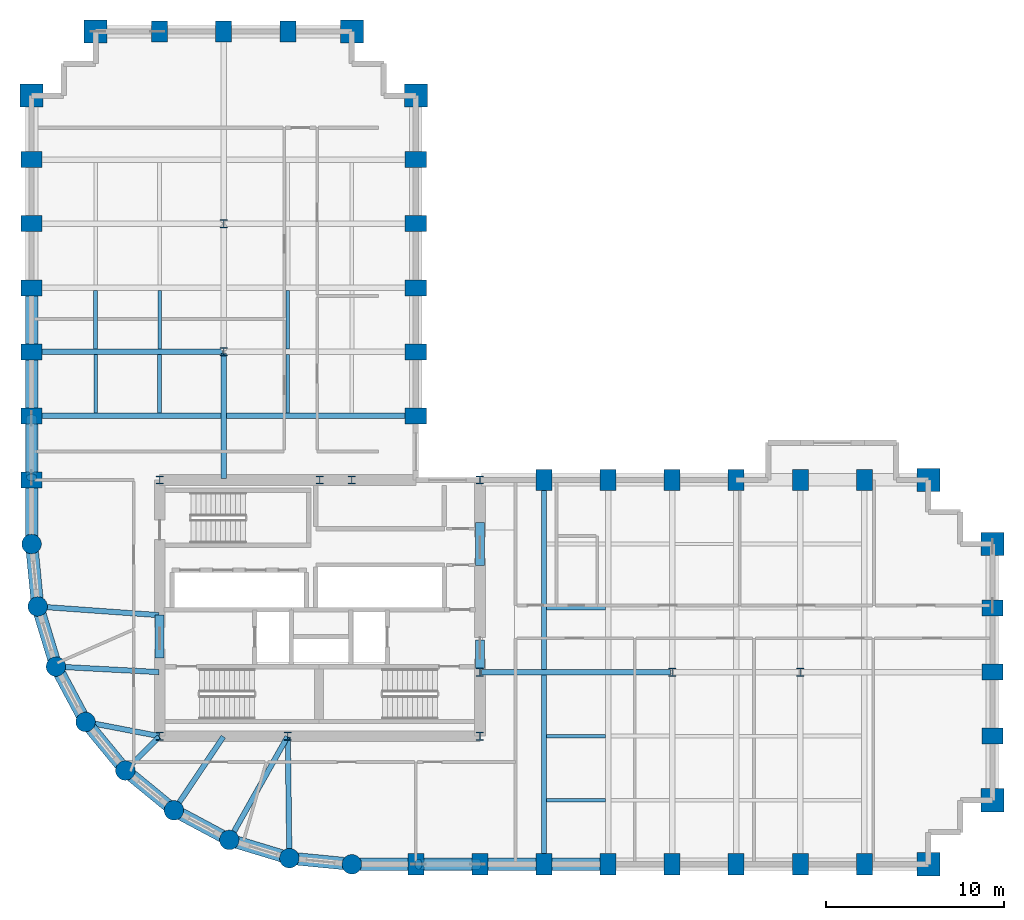
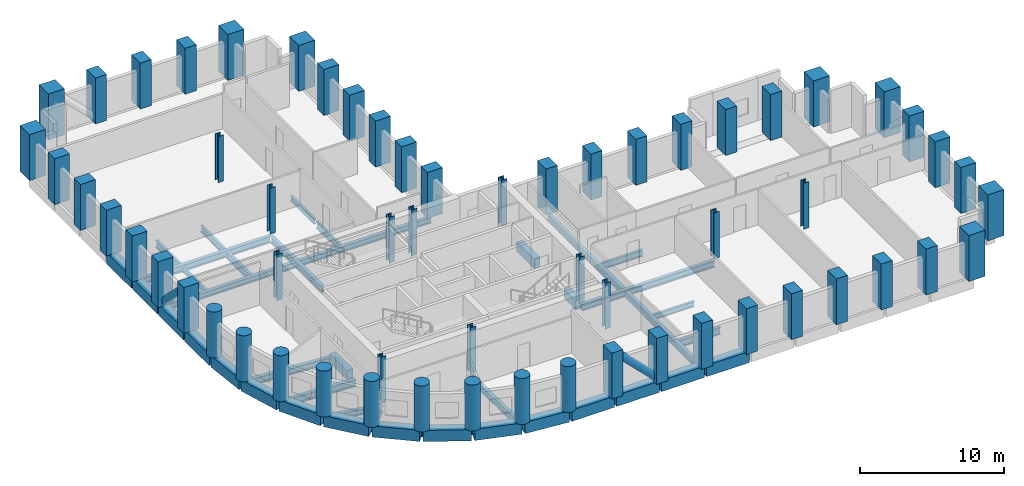
# One storey, part 1 of 8: 60 columns, 40 beams, 2 members.
"""IFC4 building model written with IfcOpenShell, lengths in metres."""

from ifc_helpers import new_model, si_unit, direction, frame, origin, origin_2d, place, context, subcontext, project, spatial, rectangle, circle, hollow_circle, i_section, extrude, material, material_profile, profile_set, type_object, element, save


model = new_model("IFC4")

# Units and contexts
model_context = context("Model", 3, precision=1e-05, world=origin(), true_north=direction((0.0, 1.0)))
body_context = subcontext(model_context, "Body", "Model", "MODEL_VIEW")
ifc_project = project(units=[si_unit("LENGTHUNIT", "METRE"), si_unit("AREAUNIT", "SQUARE_METRE"), si_unit("VOLUMEUNIT", "CUBIC_METRE"), si_unit("PLANEANGLEUNIT", "RADIAN"), si_unit("MASSUNIT", "GRAM", prefix="KILO")], contexts=[model_context])

# Site, building, storey
site_placement = place(None, origin())
site = spatial("IfcSite", under=ifc_project, at=site_placement, CompositionType="ELEMENT")
building_placement = place(site_placement, origin())
building = spatial("IfcBuilding", under=site, at=building_placement, Name="Solnavia Interchange Tower", CompositionType="ELEMENT")
storey_placement = place(building_placement, frame((0.0, 0.0, 35.699951171875)))
storey = spatial("IfcBuildingStorey", under=building, at=storey_placement, Name="L08", CompositionType="ELEMENT", Elevation=35.699951171875)

# Columns
ifc_material_1 = material(Name="Concrete C60/75", Category="concrete")
ifc_material_profile_1 = material_profile(ifc_material_1, rectangle(XDim=0.89990234375, YDim=1.199951171875, at=origin_2d()), Name="RC 1200x900")
ifc_profile_set_1 = profile_set([ifc_material_profile_1], Name="Concrete C60/75")
column_type_1 = type_object("IfcColumnType", Name="Col-RC-1200x900", PredefinedType="COLUMN", material=ifc_profile_set_1)
for number, where, z_axis, x_axis, name in (
    (1, (7.199951171875, 25.199951171875, 0.0), (0.0, 0.0, 1.0), (0.0, 1.0, 0.0), "COL-L08-02 Tower perim y column"),
    (2, (7.199951171875, 28.800048828125, 0.0), (0.0, 0.0, 1.0), (0.0, 1.0, 0.0), "COL-L08-03 Tower perim y column"),
    (3, (7.199951171875, 32.39990234375, 0.0), (0.0, 0.0, 1.0), (0.0, 1.0, 0.0), "COL-L08-04 Tower perim y column"),
    (4, (7.199951171875, 36.0, 0.0), (0.0, 0.0, 1.0), (0.0, 1.0, 0.0), "COL-L08-05 Tower perim y column"),
    (5, (7.199951171875, 39.60009765625, 0.0), (0.0, 0.0, 1.0), (0.0, 1.0, 0.0), "COL-L08-06 Tower perim y column"),
    (6, (7.199951171875, 43.199951171875, 0.0), (0.0, 0.0, 1.0), (0.0, 1.0, 0.0), "COL-L08-07 Tower perim y column"),
    (7, (14.39990234375, 50.39990234375, 0.0), (0.0, 0.0, 1.0), (1.0, 0.0, 0.0), "COL-L08-16 Tower perim x column"),
    (8, (18.0, 50.39990234375, 0.0), (0.0, 0.0, 1.0), (1.0, 0.0, 0.0), "COL-L08-20 Tower perim x column"),
    (9, (21.60009765625, 50.39990234375, 0.0), (0.0, 0.0, 1.0), (1.0, 0.0, 0.0), "COL-L08-23 Tower perim x column"),
    (10, (28.800048828125, 3.60009765625, 0.0), (0.0, 0.0, 1.0), (1.0, 0.0, 0.0), "COL-L08-29 Tower perim x column"),
    (11, (28.800048828125, 28.800048828125, 0.0), (0.0, 0.0, 1.0), (0.0, 1.0, 0.0), "COL-L08-30 Tower perim y column"),
    (12, (28.800048828125, 32.39990234375, 0.0), (0.0, 0.0, 1.0), (0.0, 1.0, 0.0), "COL-L08-31 Tower perim y column"),
    (13, (28.800048828125, 36.0, 0.0), (0.0, 0.0, 1.0), (0.0, 1.0, 0.0), "COL-L08-32 Tower perim y column"),
    (14, (28.800048828125, 39.60009765625, 0.0), (0.0, 0.0, 1.0), (0.0, 1.0, 0.0), "COL-L08-33 Tower perim y column"),
    (15, (28.800048828125, 43.199951171875, 0.0), (0.0, 0.0, 1.0), (0.0, 1.0, 0.0), "COL-L08-34 Tower perim y column"),
    (16, (32.39990234375, 3.60009765625, 0.0), (0.0, 0.0, 1.0), (1.0, 0.0, 0.0), "COL-L08-36 Tower perim x column"),
    (17, (36.0, 3.60009765625, 0.0), (0.0, 0.0, 1.0), (1.0, 0.0, 0.0), "COL-L08-40 Tower perim x column"),
    (18, (36.0, 25.199951171875, 0.0), (0.0, 0.0, 1.0), (1.0, 0.0, 0.0), "COL-L08-41 Tower perim x column"),
    (19, (39.60009765625, 3.60009765625, 0.0), (0.0, 0.0, 1.0), (1.0, 0.0, 0.0), "COL-L08-42 Tower perim x column"),
    (20, (39.60009765625, 25.199951171875, 0.0), (0.0, 0.0, 1.0), (1.0, 0.0, 0.0), "COL-L08-43 Tower perim x column"),
    (21, (43.199951171875, 3.60009765625, 0.0), (0.0, 0.0, 1.0), (1.0, 0.0, 0.0), "COL-L08-44 Tower perim x column"),
    (22, (43.199951171875, 25.199951171875, 0.0), (0.0, 0.0, 1.0), (1.0, 0.0, 0.0), "COL-L08-46 Tower perim x column"),
    (23, (46.800048828125, 3.60009765625, 0.0), (0.0, 0.0, 1.0), (1.0, 0.0, 0.0), "COL-L08-47 Tower perim x column"),
    (24, (46.800048828125, 25.199951171875, 0.0), (0.0, 0.0, 1.0), (1.0, 0.0, 0.0), "COL-L08-48 Tower perim x column"),
    (25, (50.39990234375, 3.60009765625, 0.0), (0.0, 0.0, 1.0), (1.0, 0.0, 0.0), "COL-L08-49 Tower perim x column"),
    (26, (50.39990234375, 25.199951171875, 0.0), (0.0, 0.0, 1.0), (1.0, 0.0, 0.0), "COL-L08-51 Tower perim x column"),
    (27, (54.0, 3.60009765625, 0.0), (0.0, 0.0, 1.0), (1.0, 0.0, 0.0), "COL-L08-52 Tower perim x column"),
    (28, (54.0, 25.199951171875, 0.0), (0.0, 0.0, 1.0), (1.0, 0.0, 0.0), "COL-L08-53 Tower perim x column"),
    (29, (61.199951171875, 10.800048828125, 0.0), (0.0, 0.0, 1.0), (0.0, 1.0, 0.0), "COL-L08-57 Tower perim y column"),
    (30, (61.199951171875, 14.39990234375, 0.0), (0.0, 0.0, 1.0), (0.0, 1.0, 0.0), "COL-L08-58 Tower perim y column"),
    (31, (61.199951171875, 18.0, 0.0), (0.0, 0.0, 1.0), (0.0, 1.0, 0.0), "COL-L08-59 Tower perim y column"),
):
    element("IfcColumn", number, at=place(storey_placement, frame(where, z_axis=z_axis, x_axis=x_axis)), inside=storey, type_object=column_type_1, Name=name, PredefinedType="COLUMN", context=body_context, shape_type="SweptSolid", body=[
        extrude(rectangle(XDim=0.89990234375, YDim=1.199951171875, at=origin_2d()), origin(), (0.0, 0.0, 1.0), 3.900146484375),
    ])
ifc_material_profile_2 = material_profile(ifc_material_1, rectangle(XDim=1.300048828125, YDim=1.300048828125, at=origin_2d()), Name="RC 1300x1300")
ifc_profile_set_2 = profile_set([ifc_material_profile_2], Name="Concrete C60/75")
column_type_2 = type_object("IfcColumnType", Name="Col-RC-1300x1300", PredefinedType="COLUMN", material=ifc_profile_set_2)
for number, where, z_axis, x_axis, name in (
    (32, (7.199951171875, 46.800048828125, 0.0), (0.0, 0.0, 1.0), (0.0, 1.0, 0.0), "COL-L08-08 Tower corner column"),
    (33, (10.800048828125, 50.39990234375, 0.0), (0.0, 0.0, 1.0), (1.0, 0.0, 0.0), "COL-L08-12 Tower corner column"),
    (34, (25.199951171875, 50.39990234375, 0.0), (0.0, 0.0, 1.0), (1.0, 0.0, 0.0), "COL-L08-28 Tower corner column"),
    (35, (28.800048828125, 46.800048828125, 0.0), (0.0, 0.0, 1.0), (0.0, 1.0, 0.0), "COL-L08-35 Tower corner column"),
    (36, (57.60009765625, 3.60009765625, 0.0), (0.0, 0.0, 1.0), (1.0, 0.0, 0.0), "COL-L08-54 Tower corner column"),
    (37, (57.60009765625, 25.199951171875, 0.0), (0.0, 0.0, 1.0), (1.0, 0.0, 0.0), "COL-L08-55 Tower corner column"),
    (38, (61.199951171875, 7.199951171875, 0.0), (0.0, 0.0, 1.0), (1.0, 0.0, 0.0), "COL-L08-56 Tower corner column"),
    (39, (61.199951171875, 21.60009765625, 0.0), (0.0, 0.0, 1.0), (0.0, 1.0, 0.0), "COL-L08-60 Tower corner column"),
):
    element("IfcColumn", number, at=place(storey_placement, frame(where, z_axis=z_axis, x_axis=x_axis)), inside=storey, type_object=column_type_2, Name=name, PredefinedType="COLUMN", context=body_context, shape_type="SweptSolid", body=[
        extrude(rectangle(XDim=1.300048828125, YDim=1.300048828125, at=origin_2d()), origin(), (0.0, 0.0, 1.0), 3.900146484375),
    ])
ifc_material_profile_3 = material_profile(ifc_material_1, circle(Radius=0.550048828125, at=origin_2d()), Name="RC D1100")
ifc_profile_set_3 = profile_set([ifc_material_profile_3], Name="Concrete C60/75")
column_type_3 = type_object("IfcColumnType", Name="Col-RC-D1100", PredefinedType="COLUMN", material=ifc_profile_set_3)
for number, where, z_axis, x_axis, name in (
    (40, (7.199951171875, 21.60009765625, 0.0), (0.0, 0.0, 1.0), (1.0, 0.0, 0.0), "COL-L08-01 Tower drum column"),
    (41, (7.5458984375, 18.087890625, 0.0), (0.0, 0.0, 1.0), (1.0, 0.0, 0.0), "COL-L08-09 Tower drum column"),
    (42, (8.570068359375, 14.7119140625, 0.0), (0.0, 0.0, 1.0), (1.0, 0.0, 0.0), "COL-L08-10 Tower drum column"),
    (43, (10.23388671875, 11.60009765625, 0.0), (0.0, 0.0, 1.0), (1.0, 0.0, 0.0), "COL-L08-11 Tower drum column"),
    (44, (12.471923828125, 8.8720703125, 0.0), (0.0, 0.0, 1.0), (1.0, 0.0, 0.0), "COL-L08-13 Tower drum column"),
    (45, (15.199951171875, 6.634033203125, 0.0), (0.0, 0.0, 1.0), (1.0, 0.0, 0.0), "COL-L08-17 Tower drum column"),
    (46, (18.31201171875, 4.969970703125, 0.0), (0.0, 0.0, 1.0), (1.0, 0.0, 0.0), "COL-L08-21 Tower drum column"),
    (47, (21.68798828125, 3.946044921875, 0.0), (0.0, 0.0, 1.0), (1.0, 0.0, 0.0), "COL-L08-24 Tower drum column"),
    (48, (25.199951171875, 3.60009765625, 0.0), (0.0, 0.0, 1.0), (1.0, 0.0, 0.0), "COL-L08-26 Tower drum column"),
):
    element("IfcColumn", number, at=place(storey_placement, frame(where, z_axis=z_axis, x_axis=x_axis)), inside=storey, type_object=column_type_3, Name=name, PredefinedType="COLUMN", context=body_context, shape_type="SweptSolid", body=[
        extrude(circle(Radius=0.550048828125, at=origin_2d()), origin(), (0.0, 0.0, 1.0), 3.900146484375),
    ])
ifc_material_2 = material(Name="Steel S355", Category="steel")
ifc_material_profile_4 = material_profile(ifc_material_2, i_section(OverallWidth=0.424072265625, OverallDepth=0.467041015625, WebThickness=0.032958984375, FlangeThickness=0.053466796875, FilletRadius=0.014892578125, at=origin_2d()), Name="HD 400x509")
ifc_profile_set_4 = profile_set([ifc_material_profile_4], Name="Steel S355")
column_type_4 = type_object("IfcColumnType", Name="Col-Steel-HD400x509", PredefinedType="COLUMN", material=ifc_profile_set_4)
for number, where, z_axis, x_axis, name in (
    (49, (14.39990234375, 10.800048828125, 0.0), (0.0, 0.0, 1.0), (1.0, 0.0, 0.0), "COL-L08-14 Tower interior column"),
    (50, (14.39990234375, 25.199951171875, 0.0), (0.0, 0.0, 1.0), (1.0, 0.0, 0.0), "COL-L08-15 Tower interior column"),
    (51, (18.0, 32.39990234375, 0.0), (0.0, 0.0, 1.0), (1.0, 0.0, 0.0), "COL-L08-18 Tower interior column"),
    (52, (18.0, 39.60009765625, 0.0), (0.0, 0.0, 1.0), (1.0, 0.0, 0.0), "COL-L08-19 Tower interior column"),
    (53, (21.60009765625, 10.800048828125, 0.0), (0.0, 0.0, 1.0), (1.0, 0.0, 0.0), "COL-L08-22 Tower interior column"),
    (54, (23.39990234375, 25.199951171875, 0.0), (0.0, 0.0, 1.0), (1.0, 0.0, 0.0), "COL-L08-25 Tower interior column"),
    (55, (25.199951171875, 25.199951171875, 0.0), (0.0, 0.0, 1.0), (1.0, 0.0, 0.0), "COL-L08-27 Tower interior column"),
    (56, (32.39990234375, 10.800048828125, 0.0), (0.0, 0.0, 1.0), (1.0, 0.0, 0.0), "COL-L08-37 Tower interior column"),
    (57, (32.39990234375, 14.39990234375, 0.0), (0.0, 0.0, 1.0), (1.0, 0.0, 0.0), "COL-L08-38 Tower interior column"),
    (58, (32.39990234375, 25.199951171875, 0.0), (0.0, 0.0, 1.0), (1.0, 0.0, 0.0), "COL-L08-39 Tower interior column"),
    (59, (43.199951171875, 14.39990234375, 0.0), (0.0, 0.0, 1.0), (1.0, 0.0, 0.0), "COL-L08-45 Tower interior column"),
    (60, (50.39990234375, 14.39990234375, 0.0), (0.0, 0.0, 1.0), (1.0, 0.0, 0.0), "COL-L08-50 Tower interior column"),
):
    element("IfcColumn", number, at=place(storey_placement, frame(where, z_axis=z_axis, x_axis=x_axis)), inside=storey, type_object=column_type_4, Name=name, PredefinedType="COLUMN", context=body_context, shape_type="SweptSolid", body=[
        extrude(i_section(OverallWidth=0.424072265625, OverallDepth=0.467041015625, WebThickness=0.032958984375, FlangeThickness=0.053466796875, FilletRadius=0.014892578125, at=origin_2d()), origin(), (0.0, 0.0, 1.0), 3.900146484375),
    ])

# Beams
ifc_material_3 = material(Name="Concrete C50/60", Category="concrete")
ifc_material_profile_5 = material_profile(ifc_material_3, rectangle(XDim=0.5, YDim=0.800048828125, at=origin_2d()), Name="RC 500x800")
ifc_profile_set_5 = profile_set([ifc_material_profile_5], Name="Concrete C50/60")
beam_type_1 = type_object("IfcBeamType", Name="Beam-Coupling-RC500x800", PredefinedType="LINTEL", material=ifc_profile_set_5)
beam_1_placement = place(storey_placement, frame((14.39990234375, 15.199951171875, -0.39990234375), z_axis=(0.0, 1.0, 0.0), x_axis=(-1.0, 0.0, 0.0)))
element("IfcBeam", 61, at=beam_1_placement, inside=storey, type_object=beam_type_1, Name="CPB-L08-W1 Core coupling lintel beam", PredefinedType="LINTEL", context=body_context, shape_type="SweptSolid", body=[
    extrude(rectangle(XDim=0.5, YDim=0.800048828125, at=origin_2d()), origin(), (0.0, 0.0, 1.0), 2.400146484375),
])
beam_2_placement = place(storey_placement, frame((32.39990234375, 14.60009765625, -0.39990234375), z_axis=(0.0, 1.0, 0.0), x_axis=(-1.0, 0.0, 0.0)))
element("IfcBeam", 62, at=beam_2_placement, inside=storey, type_object=beam_type_1, Name="CPB-L08-E1 Core coupling lintel beam", PredefinedType="LINTEL", context=body_context, shape_type="SweptSolid", body=[
    extrude(rectangle(XDim=0.5, YDim=0.800048828125, at=origin_2d()), origin(), (0.0, 0.0, 1.0), 1.599853515625),
])
beam_3_placement = place(storey_placement, frame((32.39990234375, 20.39990234375, -0.39990234375), z_axis=(0.0, 1.0, 0.0), x_axis=(-1.0, 0.0, 0.0)))
element("IfcBeam", 63, at=beam_3_placement, inside=storey, type_object=beam_type_1, Name="CPB-L08-E2 Core coupling lintel beam", PredefinedType="LINTEL", context=body_context, shape_type="SweptSolid", body=[
    extrude(rectangle(XDim=0.5, YDim=0.800048828125, at=origin_2d()), origin(), (0.0, 0.0, 1.0), 2.400146484375),
])
ifc_material_4 = material(Name="Steel S460", Category="steel")
ifc_material_profile_6 = material_profile(ifc_material_4, i_section(OverallWidth=0.300048828125, OverallDepth=0.550048828125, WebThickness=0.014892578125, FlangeThickness=0.029052734375, FilletRadius=0.027099609375, at=origin_2d()), Name="HEB 550")
ifc_profile_set_6 = profile_set([ifc_material_profile_6], Name="Steel S460")
beam_type_2 = type_object("IfcBeamType", Name="Beam-Girder-HEB550", PredefinedType="BEAM", material=ifc_profile_set_6)
beam_4_placement = place(storey_placement, frame((32.47998046875, 14.39990234375, -0.52490234375), z_axis=(1.0, 0.0, 0.0), x_axis=(0.0, 1.0, 0.0)))
element("IfcBeam", 64, at=beam_4_placement, inside=storey, type_object=beam_type_2, Name="GRD-L08-ES01 East wing spine girder", PredefinedType="BEAM", context=body_context, shape_type="SweptSolid", body=[
    extrude(i_section(OverallWidth=0.300048828125, OverallDepth=0.550048828125, WebThickness=0.014892578125, FlangeThickness=0.029052734375, FilletRadius=0.027099609375, at=origin_2d()), origin(), (0.0, 0.0, 1.0), 10.64013671875),
])
beam_5_placement = place(storey_placement, frame((36.0, 3.679931640625, -0.52490234375), z_axis=(0.0, 1.0, 0.0), x_axis=(-1.0, 0.0, 0.0)))
element("IfcBeam", 65, at=beam_5_placement, inside=storey, type_object=beam_type_2, Name="GRD-L08-EW04 East wing primary floor girder", PredefinedType="BEAM", context=body_context, shape_type="SweptSolid", body=[
    extrude(i_section(OverallWidth=0.300048828125, OverallDepth=0.550048828125, WebThickness=0.014892578125, FlangeThickness=0.029052734375, FilletRadius=0.027099609375, at=origin_2d()), origin(), (0.0, 0.0, 1.0), 21.440185546875),
])
beam_6_placement = place(storey_placement, frame((18.0, 25.280029296875, -0.52490234375), z_axis=(0.0, 1.0, 0.0), x_axis=(-1.0, 0.0, 0.0)))
element("IfcBeam", 66, at=beam_6_placement, inside=storey, type_object=beam_type_2, Name="GRD-L08-NS12 North wing spine girder", PredefinedType="BEAM", context=body_context, shape_type="SweptSolid", body=[
    extrude(i_section(OverallWidth=0.300048828125, OverallDepth=0.550048828125, WebThickness=0.014892578125, FlangeThickness=0.029052734375, FilletRadius=0.027099609375, at=origin_2d()), origin(), (0.0, 0.0, 1.0), 7.0400390625),
])
beam_7_placement = place(storey_placement, frame((7.280029296875, 32.39990234375, -0.52490234375), z_axis=(1.0, 0.0, 0.0), x_axis=(0.0, 1.0, 0.0)))
element("IfcBeam", 67, at=beam_7_placement, inside=storey, type_object=beam_type_2, Name="GRD-L08-NW16 North wing primary floor girder", PredefinedType="BEAM", context=body_context, shape_type="SweptSolid", body=[
    extrude(i_section(OverallWidth=0.300048828125, OverallDepth=0.550048828125, WebThickness=0.014892578125, FlangeThickness=0.029052734375, FilletRadius=0.027099609375, at=origin_2d()), origin(), (0.0, 0.0, 1.0), 10.639892578125),
])
beam_8_placement = place(storey_placement, frame((7.625732421875, 18.082275390625, -0.52490234375), z_axis=(0.99747482749, -0.071020902015, 0.0), x_axis=(0.071020902015, 0.99747482749, 0.0)))
element("IfcBeam", 68, at=beam_8_placement, inside=storey, type_object=beam_type_2, Name="GRD-L08-DR22 Drum radial floor girder", PredefinedType="BEAM", context=body_context, shape_type="SweptSolid", body=[
    extrude(i_section(OverallWidth=0.300048828125, OverallDepth=0.550048828125, WebThickness=0.014892578125, FlangeThickness=0.029052734375, FilletRadius=0.027099609375, at=origin_2d()), origin(), (0.0, 0.0, 1.0), 6.75146484375),
])
beam_9_placement = place(storey_placement, frame((12.528564453125, 8.9287109375, -0.52490234375), z_axis=(0.707106781187, 0.707106781187, 0.0), x_axis=(-0.707106781187, 0.707106781187, 0.0)))
element("IfcBeam", 69, at=beam_9_placement, inside=storey, type_object=beam_type_2, Name="GRD-L08-DR25 Drum radial floor girder", PredefinedType="BEAM", context=body_context, shape_type="SweptSolid", body=[
    extrude(i_section(OverallWidth=0.300048828125, OverallDepth=0.550048828125, WebThickness=0.014892578125, FlangeThickness=0.029052734375, FilletRadius=0.027099609375, at=origin_2d()), origin(), (0.0, 0.0, 1.0), 2.6064453125),
])
beam_10_placement = place(storey_placement, frame((21.68701171875, 4.02587890625, -0.52490234375), z_axis=(-0.01283293513, 0.999917654498, 0.0), x_axis=(-0.999917654498, -0.01283293513, 0.0)))
element("IfcBeam", 70, at=beam_10_placement, inside=storey, type_object=beam_type_2, Name="GRD-L08-DR28 Drum radial floor girder", PredefinedType="BEAM", context=body_context, shape_type="SweptSolid", body=[
    extrude(i_section(OverallWidth=0.300048828125, OverallDepth=0.550048828125, WebThickness=0.014892578125, FlangeThickness=0.029052734375, FilletRadius=0.027099609375, at=origin_2d()), origin(), (0.0, 0.0, 1.0), 6.734619140625),
])
ifc_material_profile_7 = material_profile(ifc_material_2, i_section(OverallWidth=0.18994140625, OverallDepth=0.449951171875, WebThickness=0.009521484375, FlangeThickness=0.0146484375, FilletRadius=0.02099609375, at=origin_2d()), Name="IPE 450")
ifc_profile_set_7 = profile_set([ifc_material_profile_7], Name="Steel S355")
beam_type_3 = type_object("IfcBeamType", Name="Beam-Joist-IPE450", PredefinedType="JOIST", material=ifc_profile_set_7)
for number, where, z_axis, x_axis, name in (
    (71, (36.14990234375, 10.800048828125, -0.474853515625), (1.0, 0.0, 0.0), (0.0, 1.0, 0.0), "JST-L08-E06 East wing secondary joist"),
    (72, (10.800048828125, 28.949951171875, -0.474853515625), (0.0, 1.0, 0.0), (-1.0, 0.0, 0.0), "JST-L08-N21 North wing secondary joist"),
    (73, (21.60009765625, 32.550048828125, -0.474853515625), (0.0, 1.0, 0.0), (-1.0, 0.0, 0.0), "JST-L08-N30 North wing secondary joist"),
):
    element("IfcBeam", number, at=place(storey_placement, frame(where, z_axis=z_axis, x_axis=x_axis)), inside=storey, type_object=beam_type_3, Name=name, PredefinedType="JOIST", context=body_context, shape_type="SweptSolid", body=[
        extrude(i_section(OverallWidth=0.18994140625, OverallDepth=0.449951171875, WebThickness=0.009521484375, FlangeThickness=0.0146484375, FilletRadius=0.02099609375, at=origin_2d()), origin(), (0.0, 0.0, 1.0), 3.300048828125),
    ])
ifc_material_profile_8 = material_profile(ifc_material_2, i_section(OverallWidth=0.2099609375, OverallDepth=0.550048828125, WebThickness=0.010986328125, FlangeThickness=0.01708984375, FilletRadius=0.02392578125, at=origin_2d()), Name="IPE 550")
ifc_profile_set_8 = profile_set([ifc_material_profile_8], Name="Steel S355")
beam_type_4 = type_object("IfcBeamType", Name="Beam-Joist-IPE550", PredefinedType="JOIST", material=ifc_profile_set_8)
for number, where, z_axis, x_axis, name in (
    (74, (36.14990234375, 18.0, -0.52490234375), (1.0, 0.0, 0.0), (0.0, 1.0, 0.0), "JST-L08-E11 East wing secondary joist"),
    (75, (14.39990234375, 32.550048828125, -0.52490234375), (0.0, 1.0, 0.0), (-1.0, 0.0, 0.0), "JST-L08-N26 North wing secondary joist"),
    (76, (21.60009765625, 28.949951171875, -0.52490234375), (0.0, 1.0, 0.0), (-1.0, 0.0, 0.0), "JST-L08-N29 North wing secondary joist"),
):
    element("IfcBeam", number, at=place(storey_placement, frame(where, z_axis=z_axis, x_axis=x_axis)), inside=storey, type_object=beam_type_4, Name=name, PredefinedType="JOIST", context=body_context, shape_type="SweptSolid", body=[
        extrude(i_section(OverallWidth=0.2099609375, OverallDepth=0.550048828125, WebThickness=0.010986328125, FlangeThickness=0.01708984375, FilletRadius=0.02392578125, at=origin_2d()), origin(), (0.0, 0.0, 1.0), 3.300048828125),
    ])
ifc_material_profile_9 = material_profile(ifc_material_2, i_section(OverallWidth=0.219970703125, OverallDepth=0.60009765625, WebThickness=0.011962890625, FlangeThickness=0.01904296875, FilletRadius=0.02392578125, at=origin_2d()), Name="IPE 600")
ifc_profile_set_9 = profile_set([ifc_material_profile_9], Name="Steel S355")
beam_type_5 = type_object("IfcBeamType", Name="Beam-Joist-IPE600", PredefinedType="JOIST", material=ifc_profile_set_9)
for number, where, z_axis, x_axis, name in (
    (77, (36.14990234375, 7.199951171875, -0.550048828125), (1.0, 0.0, 0.0), (0.0, 1.0, 0.0), "JST-L08-E01 East wing secondary joist"),
    (78, (10.800048828125, 32.550048828125, -0.550048828125), (0.0, 1.0, 0.0), (-1.0, 0.0, 0.0), "JST-L08-N22 North wing secondary joist"),
    (79, (14.39990234375, 28.949951171875, -0.550048828125), (0.0, 1.0, 0.0), (-1.0, 0.0, 0.0), "JST-L08-N25 North wing secondary joist"),
):
    element("IfcBeam", number, at=place(storey_placement, frame(where, z_axis=z_axis, x_axis=x_axis)), inside=storey, type_object=beam_type_5, Name=name, PredefinedType="JOIST", context=body_context, shape_type="SweptSolid", body=[
        extrude(i_section(OverallWidth=0.219970703125, OverallDepth=0.60009765625, WebThickness=0.011962890625, FlangeThickness=0.01904296875, FilletRadius=0.02392578125, at=origin_2d()), origin(), (0.0, 0.0, 1.0), 3.300048828125),
    ])
ifc_material_profile_10 = material_profile(ifc_material_2, i_section(OverallWidth=0.300048828125, OverallDepth=0.489990234375, WebThickness=0.011962890625, FlangeThickness=0.02294921875, FilletRadius=0.027099609375, at=origin_2d()), Name="HEA 500")
ifc_profile_set_10 = profile_set([ifc_material_profile_10], Name="Steel S355")
beam_type_6 = type_object("IfcBeamType", Name="Beam-Primary-HEA500", PredefinedType="BEAM", material=ifc_profile_set_10)
beam_11_placement = place(storey_placement, frame((7.280029296875, 28.800048828125, -0.494873046875), z_axis=(1.0, 0.0, 0.0), x_axis=(0.0, 1.0, 0.0)))
element("IfcBeam", 80, at=beam_11_placement, inside=storey, type_object=beam_type_6, Name="GRD-L08-NW15 North wing primary floor girder", PredefinedType="BEAM", context=body_context, shape_type="SweptSolid", body=[
    extrude(i_section(OverallWidth=0.300048828125, OverallDepth=0.489990234375, WebThickness=0.011962890625, FlangeThickness=0.02294921875, FilletRadius=0.027099609375, at=origin_2d()), origin(), (0.0, 0.0, 1.0), 21.43994140625),
])
beam_12_placement = place(storey_placement, frame((10.3125, 11.5849609375, -0.494873046875), z_axis=(0.982057527796, -0.188581579428, 0.0), x_axis=(0.188581579428, 0.982057527796, 0.0)))
element("IfcBeam", 81, at=beam_12_placement, inside=storey, type_object=beam_type_6, Name="GRD-L08-DR24 Drum radial floor girder", PredefinedType="BEAM", context=body_context, shape_type="SweptSolid", body=[
    extrude(i_section(OverallWidth=0.300048828125, OverallDepth=0.489990234375, WebThickness=0.011962890625, FlangeThickness=0.02294921875, FilletRadius=0.027099609375, at=origin_2d()), origin(), (0.0, 0.0, 1.0), 4.1220703125),
])
beam_13_placement = place(storey_placement, frame((18.351318359375, 5.039794921875, -0.494873046875), z_axis=(0.491243158486, 0.871022479182, 0.0), x_axis=(-0.871022479182, 0.491243158486, 0.0)))
element("IfcBeam", 82, at=beam_13_placement, inside=storey, type_object=beam_type_6, Name="GRD-L08-DR27 Drum radial floor girder", PredefinedType="BEAM", context=body_context, shape_type="SweptSolid", body=[
    extrude(i_section(OverallWidth=0.300048828125, OverallDepth=0.489990234375, WebThickness=0.011962890625, FlangeThickness=0.02294921875, FilletRadius=0.027099609375, at=origin_2d()), origin(), (0.0, 0.0, 1.0), 6.5732421875),
])
ifc_material_profile_11 = material_profile(ifc_material_2, i_section(OverallWidth=0.300048828125, OverallDepth=0.590087890625, WebThickness=0.012939453125, FlangeThickness=0.02490234375, FilletRadius=0.027099609375, at=origin_2d()), Name="HEA 600")
ifc_profile_set_11 = profile_set([ifc_material_profile_11], Name="Steel S355")
beam_type_7 = type_object("IfcBeamType", Name="Beam-Primary-HEA600", PredefinedType="BEAM", material=ifc_profile_set_11)
beam_14_placement = place(storey_placement, frame((8.64990234375, 14.707763671875, -0.544921875), z_axis=(0.998570371303, -0.053452909696, 0.0), x_axis=(0.053452909696, 0.998570371303, 0.0)))
element("IfcBeam", 83, at=beam_14_placement, inside=storey, type_object=beam_type_7, Name="GRD-L08-DR23 Drum radial floor girder", PredefinedType="BEAM", context=body_context, shape_type="SweptSolid", body=[
    extrude(i_section(OverallWidth=0.300048828125, OverallDepth=0.590087890625, WebThickness=0.012939453125, FlangeThickness=0.02490234375, FilletRadius=0.027099609375, at=origin_2d()), origin(), (0.0, 0.0, 1.0), 5.71826171875),
])
beam_15_placement = place(storey_placement, frame((15.24462890625, 6.700439453125, -0.544921875), z_axis=(0.557835474219, 0.829951555033, 0.0), x_axis=(-0.829951555033, 0.557835474219, 0.0)))
element("IfcBeam", 84, at=beam_15_placement, inside=storey, type_object=beam_type_7, Name="GRD-L08-DR26 Drum radial floor girder", PredefinedType="BEAM", context=body_context, shape_type="SweptSolid", body=[
    extrude(i_section(OverallWidth=0.300048828125, OverallDepth=0.590087890625, WebThickness=0.012939453125, FlangeThickness=0.02490234375, FilletRadius=0.027099609375, at=origin_2d()), origin(), (0.0, 0.0, 1.0), 4.899658203125),
])
ifc_material_profile_12 = material_profile(ifc_material_3, rectangle(XDim=0.699951171875, YDim=0.949951171875, at=origin_2d()), Name="RC 700x950")
ifc_profile_set_12 = profile_set([ifc_material_profile_12], Name="Concrete C50/60")
beam_type_8 = type_object("IfcBeamType", Name="Beam-Spandrel-RC700x950", PredefinedType="SPANDREL", material=ifc_profile_set_12)
beam_16_placement = place(storey_placement, frame((7.207763671875, 21.5205078125, -0.474853515625), z_axis=(0.098040038117, -0.995182471171, 0.0), x_axis=(0.995182471171, 0.098040038117, 0.0)))
element("IfcBeam", 85, at=beam_16_placement, inside=storey, type_object=beam_type_8, Name="SPB-L08-01 Framed-tube perimeter spandrel beam", PredefinedType="SPANDREL", context=body_context, shape_type="SweptSolid", body=[
    extrude(rectangle(XDim=0.699951171875, YDim=0.949951171875, at=origin_2d()), origin(), (0.0, 0.0, 1.0), 3.369140625),
])
beam_17_placement = place(storey_placement, frame((7.569091796875, 18.011474609375, -0.474853515625), z_axis=(0.290319223646, -0.956929855518, 0.0), x_axis=(0.956929855518, 0.290319223646, 0.0)))
element("IfcBeam", 86, at=beam_17_placement, inside=storey, type_object=beam_type_8, Name="SPB-L08-02 Framed-tube perimeter spandrel beam", PredefinedType="SPANDREL", context=body_context, shape_type="SweptSolid", body=[
    extrude(rectangle(XDim=0.699951171875, YDim=0.949951171875, at=origin_2d()), origin(), (0.0, 0.0, 1.0), 3.367919921875),
])
beam_18_placement = place(storey_placement, frame((8.607666015625, 14.6416015625, -0.474853515625), z_axis=(0.471509422952, -0.881861023102, 0.0), x_axis=(0.881861023102, 0.471509422952, 0.0)))
element("IfcBeam", 87, at=beam_18_placement, inside=storey, type_object=beam_type_8, Name="SPB-L08-03 Framed-tube perimeter spandrel beam", PredefinedType="SPANDREL", context=body_context, shape_type="SweptSolid", body=[
    extrude(rectangle(XDim=0.699951171875, YDim=0.949951171875, at=origin_2d()), origin(), (0.0, 0.0, 1.0), 3.369140625),
])
for number, where, z_axis, x_axis, name in (
    (88, (10.28466796875, 11.5380859375, -0.474853515625), (0.634298841675, -0.773087950656, 0.0), (0.773087950656, 0.634298841675, 0.0), "SPB-L08-04 Framed-tube perimeter spandrel beam"),
    (89, (12.53369140625, 8.8212890625, -0.474853515625), (0.773152644452, -0.634219984214, 0.0), (0.634219984214, 0.773152644452, 0.0), "SPB-L08-05 Framed-tube perimeter spandrel beam"),
):
    element("IfcBeam", number, at=place(storey_placement, frame(where, z_axis=z_axis, x_axis=x_axis)), inside=storey, type_object=beam_type_8, Name=name, PredefinedType="SPANDREL", context=body_context, shape_type="SweptSolid", body=[
        extrude(rectangle(XDim=0.699951171875, YDim=0.949951171875, at=origin_2d()), origin(), (0.0, 0.0, 1.0), 3.36865234375),
    ])
beam_19_placement = place(storey_placement, frame((15.2705078125, 6.59619140625, -0.474853515625), z_axis=(0.881875044348, -0.47148319817, 0.0), x_axis=(0.47148319817, 0.881875044348, 0.0)))
element("IfcBeam", 90, at=beam_19_placement, inside=storey, type_object=beam_type_8, Name="SPB-L08-06 Framed-tube perimeter spandrel beam", PredefinedType="SPANDREL", context=body_context, shape_type="SweptSolid", body=[
    extrude(rectangle(XDim=0.699951171875, YDim=0.949951171875, at=origin_2d()), origin(), (0.0, 0.0, 1.0), 3.368896484375),
])
beam_20_placement = place(storey_placement, frame((18.388671875, 4.94677734375, -0.474853515625), z_axis=(0.956943884494, -0.290272978297, 0.0), x_axis=(0.290272978297, 0.956943884494, 0.0)))
element("IfcBeam", 91, at=beam_20_placement, inside=storey, type_object=beam_type_8, Name="SPB-L08-07 Framed-tube perimeter spandrel beam", PredefinedType="SPANDREL", context=body_context, shape_type="SweptSolid", body=[
    extrude(rectangle(XDim=0.699951171875, YDim=0.949951171875, at=origin_2d()), origin(), (0.0, 0.0, 1.0), 3.36767578125),
])
beam_21_placement = place(storey_placement, frame((21.767578125, 3.938232421875, -0.474853515625), z_axis=(0.995181774609, -0.098047108501, 0.0), x_axis=(0.098047108501, 0.995181774609, 0.0)))
element("IfcBeam", 92, at=beam_21_placement, inside=storey, type_object=beam_type_8, Name="SPB-L08-08 Framed-tube perimeter spandrel beam", PredefinedType="SPANDREL", context=body_context, shape_type="SweptSolid", body=[
    extrude(rectangle(XDim=0.699951171875, YDim=0.949951171875, at=origin_2d()), origin(), (0.0, 0.0, 1.0), 3.368896484375),
])
beam_22_placement = place(storey_placement, frame((25.280029296875, 3.60009765625, -0.474853515625), z_axis=(1.0, 0.0, 0.0), x_axis=(0.0, 1.0, 0.0)))
element("IfcBeam", 93, at=beam_22_placement, inside=storey, type_object=beam_type_8, Name="SPB-L08-09 Framed-tube perimeter spandrel beam", PredefinedType="SPANDREL", context=body_context, shape_type="SweptSolid", body=[
    extrude(rectangle(XDim=0.699951171875, YDim=0.949951171875, at=origin_2d()), origin(), (0.0, 0.0, 1.0), 3.43994140625),
])
beam_23_placement = place(storey_placement, frame((28.8798828125, 3.60009765625, -0.474853515625), z_axis=(1.0, 0.0, 0.0), x_axis=(0.0, 1.0, 0.0)))
element("IfcBeam", 94, at=beam_23_placement, inside=storey, type_object=beam_type_8, Name="SPB-L08-10 Framed-tube perimeter spandrel beam", PredefinedType="SPANDREL", context=body_context, shape_type="SweptSolid", body=[
    extrude(rectangle(XDim=0.699951171875, YDim=0.949951171875, at=origin_2d()), origin(), (0.0, 0.0, 1.0), 3.440185546875),
])
for number, where, z_axis, x_axis, name in (
    (95, (32.47998046875, 3.60009765625, -0.474853515625), (1.0, 0.0, 0.0), (0.0, 1.0, 0.0), "SPB-L08-11 Framed-tube perimeter spandrel beam"),
    (96, (36.080078125, 3.60009765625, -0.474853515625), (1.0, 0.0, 0.0), (0.0, 1.0, 0.0), "SPB-L08-12 Framed-tube perimeter spandrel beam"),
    (97, (7.199951171875, 35.919921875, -0.474853515625), (0.0, -1.0, 0.0), (1.0, 0.0, 0.0), "SPB-L08-41 Framed-tube perimeter spandrel beam"),
):
    element("IfcBeam", number, at=place(storey_placement, frame(where, z_axis=z_axis, x_axis=x_axis)), inside=storey, type_object=beam_type_8, Name=name, PredefinedType="SPANDREL", context=body_context, shape_type="SweptSolid", body=[
        extrude(rectangle(XDim=0.699951171875, YDim=0.949951171875, at=origin_2d()), origin(), (0.0, 0.0, 1.0), 3.43994140625),
    ])
beam_24_placement = place(storey_placement, frame((7.199951171875, 32.320068359375, -0.474853515625), z_axis=(0.0, -1.0, 0.0), x_axis=(1.0, 0.0, 0.0)))
element("IfcBeam", 98, at=beam_24_placement, inside=storey, type_object=beam_type_8, Name="SPB-L08-42 Framed-tube perimeter spandrel beam", PredefinedType="SPANDREL", context=body_context, shape_type="SweptSolid", body=[
    extrude(rectangle(XDim=0.699951171875, YDim=0.949951171875, at=origin_2d()), origin(), (0.0, 0.0, 1.0), 3.440185546875),
])
beam_25_placement = place(storey_placement, frame((7.199951171875, 28.719970703125, -0.474853515625), z_axis=(0.0, -1.0, 0.0), x_axis=(1.0, 0.0, 0.0)))
element("IfcBeam", 99, at=beam_25_placement, inside=storey, type_object=beam_type_8, Name="SPB-L08-43 Framed-tube perimeter spandrel beam", PredefinedType="SPANDREL", context=body_context, shape_type="SweptSolid", body=[
    extrude(rectangle(XDim=0.699951171875, YDim=0.949951171875, at=origin_2d()), origin(), (0.0, 0.0, 1.0), 3.43994140625),
])
beam_26_placement = place(storey_placement, frame((7.199951171875, 25.1201171875, -0.474853515625), z_axis=(0.0, -1.0, 0.0), x_axis=(1.0, 0.0, 0.0)))
element("IfcBeam", 100, at=beam_26_placement, inside=storey, type_object=beam_type_8, Name="SPB-L08-44 Framed-tube perimeter spandrel beam", PredefinedType="SPANDREL", context=body_context, shape_type="SweptSolid", body=[
    extrude(rectangle(XDim=0.699951171875, YDim=0.949951171875, at=origin_2d()), origin(), (0.0, 0.0, 1.0), 3.440185546875),
])

# Members
ifc_material_profile_13 = material_profile(ifc_material_4, hollow_circle(Radius=0.304931640625, WallThickness=0.02490234375, at=origin_2d()), Name="CHS 610x25")
ifc_profile_set_13 = profile_set([ifc_material_profile_13], Name="Steel S460")
member_type = type_object("IfcMemberType", Name="Brace-Perim-CHS610", PredefinedType="BRACE", material=ifc_profile_set_13)
member_1_placement = place(storey_placement, frame((32.260009765625, 3.60009765625, 0.179931640625), z_axis=(-0.710311792477, 0.0, 0.703887176661), x_axis=(0.0, -1.0, 0.0)))
element("IfcMember", 101, at=member_1_placement, inside=storey, type_object=member_type, Name="BRC-L08-01 Perimeter tube diagonal brace", PredefinedType="BRACE", context=body_context, shape_type="SweptSolid", body=[
    extrude(hollow_circle(Radius=0.304931640625, WallThickness=0.02490234375, at=origin_2d()), origin(), (0.0, 0.0, 1.0), 4.674072265625),
])
member_2_placement = place(storey_placement, frame((7.199951171875, 28.659912109375, 0.179931640625), z_axis=(0.0, -0.710285911997, 0.703913292401), x_axis=(1.0, 0.0, 0.0)))
element("IfcMember", 102, at=member_2_placement, inside=storey, type_object=member_type, Name="BRC-L08-02 Perimeter tube diagonal brace", PredefinedType="BRACE", context=body_context, shape_type="SweptSolid", body=[
    extrude(hollow_circle(Radius=0.304931640625, WallThickness=0.02490234375, at=origin_2d()), origin(), (0.0, 0.0, 1.0), 4.673828125),
])

save(model, "model.ifc")
